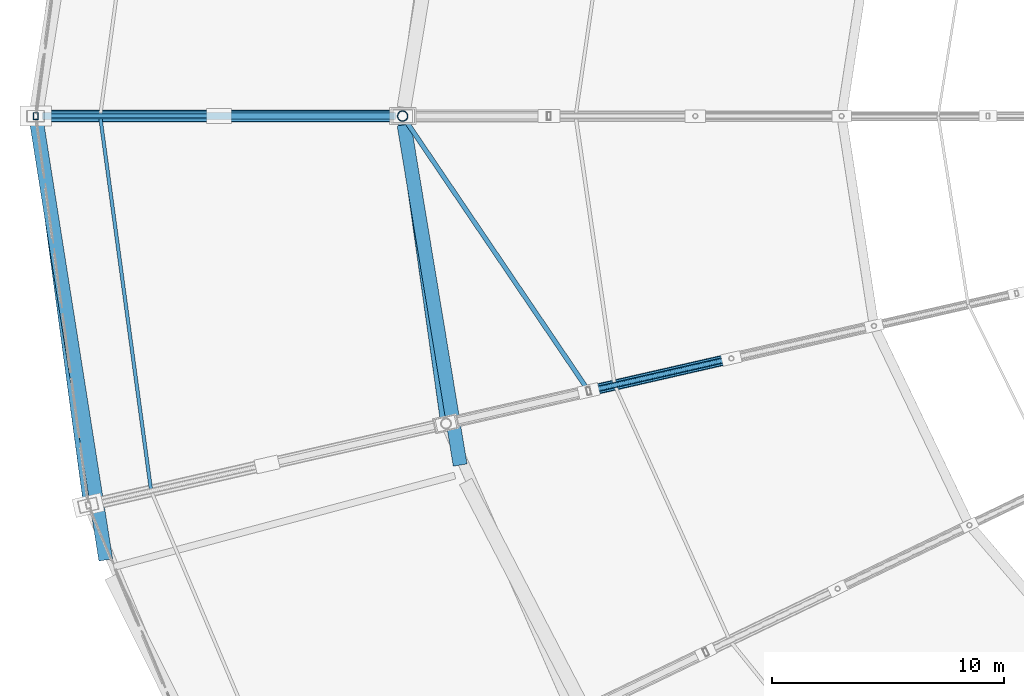
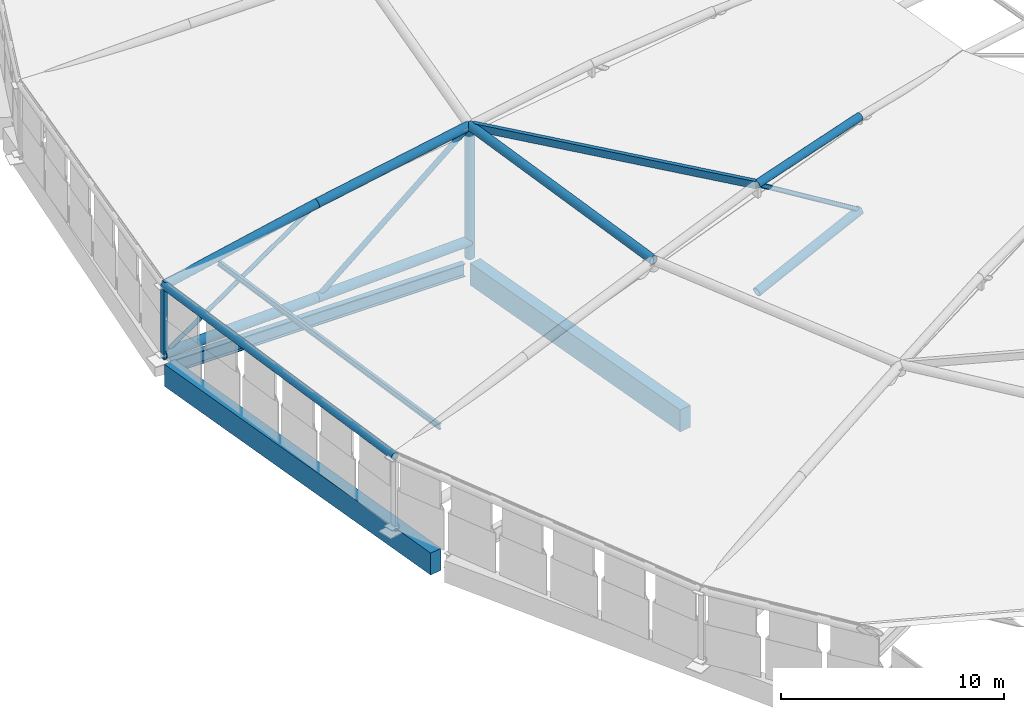
# One storey, part 29 of 108: 15 members, 3 beams.
"""IFC4 building model written with IfcOpenShell, lengths in metres."""

from ifc_helpers import new_model, si_unit, direction, frame, origin, origin_2d, place, context, subcontext, project, spatial, rectangle, hollow_rectangle, hollow_circle, i_section, extrude, material, material_profile, profile_set, type_object, element, save


model = new_model("IFC4")

# Units and contexts
model_context = context("Model", 3, precision=1e-05, world=origin(), true_north=direction((0.0, 1.0)))
body_context = subcontext(model_context, "Body", "Model", "MODEL_VIEW")
ifc_project = project(units=[si_unit("LENGTHUNIT", "METRE"), si_unit("AREAUNIT", "SQUARE_METRE"), si_unit("VOLUMEUNIT", "CUBIC_METRE"), si_unit("PLANEANGLEUNIT", "RADIAN"), si_unit("MASSUNIT", "GRAM", prefix="KILO")], contexts=[model_context])

# Site, building, storey
site_placement = place(None, origin())
site = spatial("IfcSite", under=ifc_project, at=site_placement, CompositionType="ELEMENT")
building_placement = place(site_placement, origin())
building = spatial("IfcBuilding", under=site, at=building_placement, Name="Zevraka Park Crest Stadium", CompositionType="ELEMENT")
storey_placement = place(building_placement, frame((0.0, 0.0, 29.39990234375)))
storey = spatial("IfcBuildingStorey", under=building, at=storey_placement, Name="RF", CompositionType="ELEMENT", Elevation=29.39990234375)

# Beam
ifc_material_1 = material(Name="Steel S355", Category="steel")
ifc_material_profile_1 = material_profile(ifc_material_1, i_section(OverallWidth=0.300048828125, OverallDepth=0.699951171875, WebThickness=0.01708984375, FlangeThickness=0.031982421875, at=origin_2d()), Name="HEB 700")
ifc_profile_set_1 = profile_set([ifc_material_profile_1], Name="Steel S355")
beam_type_1 = type_object("IfcBeamType", Name="BG06", PredefinedType="BEAM", material=ifc_profile_set_1)
beam_1_placement = place(storey_placement, frame((37.199951171875, 92.0, -0.534912109375), z_axis=(-1.0, 0.0, 0.0), x_axis=(0.0, -1.0, 0.0)))
element("IfcBeam", 1, at=beam_1_placement, inside=storey, type_object=beam_type_1, Name="Radial Girder BG06 RF-BD-12", PredefinedType="BEAM", context=body_context, shape_type="SweptSolid", body=[
    extrude(i_section(OverallWidth=0.300048828125, OverallDepth=0.699951171875, WebThickness=0.01708984375, FlangeThickness=0.031982421875, at=origin_2d()), origin(), (0.0, 0.0, 1.0), 15.199951171875),
])

# Member
ifc_material_2 = material(Name="Steel S355", Category="steel")
ifc_material_profile_2 = material_profile(ifc_material_2, i_section(OverallWidth=0.14990234375, OverallDepth=0.300048828125, WebThickness=0.007080078125, FlangeThickness=0.0107421875, at=origin_2d()), Name="IPE 300")
ifc_profile_set_2 = profile_set([ifc_material_profile_2], Name="Steel S355")
member_type_1 = type_object("IfcMemberType", Name="PR02", PredefinedType="PURLIN", material=ifc_profile_set_2)
member_1_placement = place(storey_placement, frame((24.47607421875, 92.0, 4.287109375), z_axis=(0.134704466965, -0.990885819144, 0.0), x_axis=(0.990885819144, 0.134704466965, 0.0)))
element("IfcMember", 2, at=member_1_placement, inside=storey, type_object=member_type_1, Name="Canopy Roof Purlin PR02 OUTER-15-1", PredefinedType="PURLIN", context=body_context, shape_type="SweptSolid", body=[
    extrude(i_section(OverallWidth=0.14990234375, OverallDepth=0.300048828125, WebThickness=0.007080078125, FlangeThickness=0.0107421875, at=origin_2d()), origin(), (0.0, 0.0, 1.0), 16.286376953125),
])

# Beams
ifc_material_3 = material(Name="Concrete C40/50", Category="concrete")
ifc_material_profile_3 = material_profile(ifc_material_3, rectangle(XDim=0.60009765625, YDim=1.199951171875, at=origin_2d()), Name="RC 1200x600")
ifc_profile_set_3 = profile_set([ifc_material_profile_3], Name="Concrete C40/50")
beam_type_2 = type_object("IfcBeamType", Name="RB01", PredefinedType="BEAM", material=ifc_profile_set_3)
beam_2_placement = place(storey_placement, frame((37.56201171875, 91.625, -0.599853515625), z_axis=(0.162654875862, -0.986683024764, 0.0), x_axis=(0.986683024764, 0.162654875862, 0.0)))
element("IfcBeam", 3, at=beam_2_placement, inside=storey, type_object=beam_type_2, Name="Ring Beam RB01 RF-B-12", PredefinedType="BEAM", context=body_context, shape_type="SweptSolid", body=[
    extrude(rectangle(XDim=0.60009765625, YDim=1.199951171875, at=origin_2d()), origin(), (0.0, 0.0, 1.0), 14.84765625),
])
beam_3_placement = place(storey_placement, frame((21.759033203125, 91.625, -0.599853515625), z_axis=(0.155972486086, -0.987761400129, 0.0), x_axis=(0.987761400129, 0.155972486086, 0.0)))
element("IfcBeam", 4, at=beam_3_placement, inside=storey, type_object=beam_type_2, Name="Ring Beam RB01 RF-D-12", PredefinedType="BEAM", context=body_context, shape_type="SweptSolid", body=[
    extrude(rectangle(XDim=0.60009765625, YDim=1.199951171875, at=origin_2d()), origin(), (0.0, 0.0, 1.0), 18.97119140625),
])

# Members
ifc_material_4 = material(Name="Steel S355", Category="steel")
ifc_material_profile_4 = material_profile(ifc_material_4, hollow_circle(Radius=0.25390625, WallThickness=0.030029296875, at=origin_2d()), Name="CHS 508.0x30")
ifc_profile_set_4 = profile_set([ifc_material_profile_4], Name="Steel S355")
member_type_2 = type_object("IfcMemberType", Name="TC01", PredefinedType="CHORD", material=ifc_profile_set_4)
member_2_placement = place(storey_placement, frame((21.699951171875, 92.0, 0.25), z_axis=(0.999279533078, 0.0, 0.03795279663), x_axis=(0.0, 1.0, 0.0)))
element("IfcMember", 5, at=member_2_placement, inside=storey, type_object=member_type_2, Name="Roof Truss Bottom Chord TC01 T15-1", PredefinedType="CHORD", context=body_context, shape_type="SweptSolid", body=[
    extrude(hollow_circle(Radius=0.25390625, WallThickness=0.030029296875, at=origin_2d()), origin(), (0.0, 0.0, 1.0), 7.90576171875),
])
member_3_placement = place(storey_placement, frame((29.60009765625, 92.0, 0.550048828125), z_axis=(0.999019458827, 0.0, 0.044273252486), x_axis=(0.0, 1.0, 0.0)))
element("IfcMember", 6, at=member_3_placement, inside=storey, type_object=member_type_2, Name="Roof Truss Bottom Chord TC01 T15-2", PredefinedType="CHORD", context=body_context, shape_type="SweptSolid", body=[
    extrude(hollow_circle(Radius=0.25390625, WallThickness=0.030029296875, at=origin_2d()), origin(), (0.0, 0.0, 1.0), 7.90771484375),
])
ifc_material_5 = material(Name="Steel S355", Category="steel")
ifc_material_profile_5 = material_profile(ifc_material_5, hollow_circle(Radius=0.228515625, WallThickness=0.02490234375, at=origin_2d()), Name="CHS 457.0x25")
ifc_profile_set_5 = profile_set([ifc_material_profile_5], Name="Steel S355")
member_type_3 = type_object("IfcMemberType", Name="TC02", PredefinedType="CHORD", material=ifc_profile_set_5)
member_4_placement = place(storey_placement, frame((37.5, 92.0, 0.0), z_axis=(0.0, 0.0, 1.0), x_axis=(1.0, 0.0, 0.0)))
element("IfcMember", 7, at=member_4_placement, inside=storey, type_object=member_type_3, Name="Roof Truss Anchor Strut TC02 T15-2", PredefinedType="CHORD", context=body_context, shape_type="SweptSolid", body=[
    extrude(hollow_circle(Radius=0.228515625, WallThickness=0.02490234375, at=origin_2d()), origin(), (0.0, 0.0, 1.0), 7.2001953125),
])
member_5_placement = place(storey_placement, frame((21.699951171875, 92.0, 4.0), z_axis=(0.977616783303, 0.0, 0.210393500384), x_axis=(0.0, 1.0, 0.0)))
element("IfcMember", 8, at=member_5_placement, inside=storey, type_object=member_type_3, Name="Roof Truss Top Chord TC02 T15-1", PredefinedType="CHORD", context=body_context, shape_type="SweptSolid", body=[
    extrude(hollow_circle(Radius=0.228515625, WallThickness=0.02490234375, at=origin_2d()), origin(), (0.0, 0.0, 1.0), 8.0810546875),
])
member_6_placement = place(storey_placement, frame((29.60009765625, 92.0, 5.7001953125), z_axis=(0.982446826972, 0.0, 0.186542842726), x_axis=(0.0, 1.0, 0.0)))
element("IfcMember", 9, at=member_6_placement, inside=storey, type_object=member_type_3, Name="Roof Truss Top Chord TC02 T15-2", PredefinedType="CHORD", context=body_context, shape_type="SweptSolid", body=[
    extrude(hollow_circle(Radius=0.228515625, WallThickness=0.02490234375, at=origin_2d()), origin(), (0.0, 0.0, 1.0), 8.041015625),
])
member_7_placement = place(storey_placement, frame((45.510009765625, 80.162109375, 2.4501953125), z_axis=(0.948417452042, 0.216464464966, 0.231619239421), x_axis=(-0.222515433667, 0.974929167571, 0.0)))
element("IfcMember", 10, at=member_7_placement, inside=storey, type_object=member_type_3, Name="Roof Truss Bottom Chord TC02 T16-4", PredefinedType="CHORD", context=body_context, shape_type="SweptSolid", body=[
    extrude(hollow_circle(Radius=0.228515625, WallThickness=0.02490234375, at=origin_2d()), origin(), (0.0, 0.0, 1.0), 6.47607421875),
])
member_8_placement = place(storey_placement, frame((37.5, 92.0, 7.2001953125), z_axis=(0.139698239704, -0.990194123303, 0.0), x_axis=(0.990194123303, 0.139698239704, 0.0)))
element("IfcMember", 11, at=member_8_placement, inside=storey, type_object=member_type_3, Name="Roof Main Bowl-Rim Ring Chord TC02 15", PredefinedType="CHORD", context=body_context, shape_type="SweptSolid", body=[
    extrude(hollow_circle(Radius=0.228515625, WallThickness=0.02490234375, at=origin_2d()), origin(), (0.0, 0.0, 1.0), 13.37109375),
])
ifc_material_6 = material(Name="Steel S355", Category="steel")
ifc_material_profile_6 = material_profile(ifc_material_6, hollow_circle(Radius=0.203125, WallThickness=0.02001953125, at=origin_2d()), Name="CHS 406.4x20")
ifc_profile_set_6 = profile_set([ifc_material_profile_6], Name="Steel S355")
member_type_4 = type_object("IfcMemberType", Name="TC03", PredefinedType="CHORD", material=ifc_profile_set_6)
member_9_placement = place(storey_placement, frame((45.510009765625, 80.162109375, 8.35009765625), z_axis=(0.968967135764, 0.221154674201, 0.110423276025), x_axis=(-0.222515433667, 0.974929167571, 0.0)))
element("IfcMember", 12, at=member_9_placement, inside=storey, type_object=member_type_4, Name="Roof Truss Top Chord TC03 T16-4", PredefinedType="CHORD", context=body_context, shape_type="SweptSolid", body=[
    extrude(hollow_circle(Radius=0.203125, WallThickness=0.02001953125, at=origin_2d()), origin(), (0.0, 0.0, 1.0), 6.3388671875),
])
member_10_placement = place(storey_placement, frame((21.699951171875, 92.0, 4.0), z_axis=(0.133907548369, -0.990993828684, 0.0), x_axis=(0.990993828684, 0.133907548369, 0.0)))
element("IfcMember", 13, at=member_10_placement, inside=storey, type_object=member_type_4, Name="Roof Outer Canopy Ring Chord TC03 15", PredefinedType="CHORD", context=body_context, shape_type="SweptSolid", body=[
    extrude(hollow_circle(Radius=0.203125, WallThickness=0.02001953125, at=origin_2d()), origin(), (0.0, 0.0, 1.0), 16.908447265625),
])
ifc_material_7 = material(Name="Steel S355", Category="steel")
ifc_material_profile_7 = material_profile(ifc_material_7, hollow_circle(Radius=0.136474609375, WallThickness=0.012451171875, at=origin_2d()), Name="CHS 273.0x12.5")
ifc_profile_set_7 = profile_set([ifc_material_profile_7], Name="Steel S355")
member_type_5 = type_object("IfcMemberType", Name="WB01", PredefinedType="BRACE", material=ifc_profile_set_7)
member_11_placement = place(storey_placement, frame((29.60009765625, 92.0, 0.550048828125), z_axis=(0.765025835155, 0.0, 0.643999589709), x_axis=(0.0, 1.0, 0.0)))
element("IfcMember", 14, at=member_11_placement, inside=storey, type_object=member_type_5, Name="Roof Truss Web Diagonal WB01 T15-2", PredefinedType="BRACE", context=body_context, shape_type="SweptSolid", body=[
    extrude(hollow_circle(Radius=0.136474609375, WallThickness=0.012451171875, at=origin_2d()), origin(), (0.0, 0.0, 1.0), 10.326416015625),
])
ifc_material_8 = material(Name="Steel S355", Category="steel")
ifc_material_profile_8 = material_profile(ifc_material_8, hollow_circle(Radius=0.109619140625, WallThickness=0.010009765625, at=origin_2d()), Name="CHS 219.1x10")
ifc_profile_set_8 = profile_set([ifc_material_profile_8], Name="Steel S355")
member_type_6 = type_object("IfcMemberType", Name="WB02", PredefinedType="BRACE", material=ifc_profile_set_8)
member_12_placement = place(storey_placement, frame((21.699951171875, 92.0, 0.25), z_axis=(0.823124227189, 0.0, 0.567861344533), x_axis=(0.0, 1.0, 0.0)))
element("IfcMember", 15, at=member_12_placement, inside=storey, type_object=member_type_6, Name="Roof Truss Web Diagonal WB02 T15-1", PredefinedType="BRACE", context=body_context, shape_type="SweptSolid", body=[
    extrude(hollow_circle(Radius=0.109619140625, WallThickness=0.010009765625, at=origin_2d()), origin(), (0.0, 0.0, 1.0), 9.59765625),
])
ifc_material_9 = material(Name="Steel S355", Category="steel")
ifc_material_profile_9 = material_profile(ifc_material_9, hollow_rectangle(XDim=0.199951171875, YDim=0.300048828125, WallThickness=0.012451171875, at=origin_2d()), Name="RHS 300x200x12.5")
ifc_profile_set_9 = profile_set([ifc_material_profile_9], Name="Steel S355")
member_type_7 = type_object("IfcMemberType", Name="WB03", PredefinedType="BRACE", material=ifc_profile_set_9)
member_13_placement = place(storey_placement, frame((21.699951171875, 92.0, 0.0), z_axis=(0.0, 0.0, 1.0), x_axis=(1.0, 0.0, 0.0)))
element("IfcMember", 16, at=member_13_placement, inside=storey, type_object=member_type_7, Name="Roof Truss Anchor Strut WB03 T15-0", PredefinedType="BRACE", context=body_context, shape_type="SweptSolid", body=[
    extrude(hollow_rectangle(XDim=0.199951171875, YDim=0.300048828125, WallThickness=0.012451171875, at=origin_2d()), origin(), (0.0, 0.0, 1.0), 4.0),
])
ifc_material_10 = material(Name="Steel S355", Category="steel")
ifc_material_profile_10 = material_profile(ifc_material_10, hollow_rectangle(XDim=0.199951171875, YDim=0.39990234375, WallThickness=0.01611328125, at=origin_2d()), Name="RHS 400x200x16")
ifc_profile_set_10 = profile_set([ifc_material_profile_10], Name="Steel S355")
member_type_8 = type_object("IfcMemberType", Name="WB06", PredefinedType="BRACE", material=ifc_profile_set_10)
member_14_placement = place(storey_placement, frame((37.5, 92.0, 7.2001953125), z_axis=(0.558601739217, -0.825550340796, 0.080191843449), x_axis=(0.828217658713, 0.560406557596, 0.0)))
element("IfcMember", 17, at=member_14_placement, inside=storey, type_object=member_type_8, Name="Canopy Roof Wind Brace WB06 15", PredefinedType="BRACE", context=body_context, shape_type="SweptSolid", body=[
    extrude(hollow_rectangle(XDim=0.199951171875, YDim=0.39990234375, WallThickness=0.01611328125, at=origin_2d()), origin(), (0.0, 0.0, 1.0), 14.33935546875),
])
ifc_material_11 = material(Name="Steel S355", Category="steel")
ifc_material_profile_11 = material_profile(ifc_material_11, hollow_circle(Radius=0.122314453125, WallThickness=0.012451171875, at=origin_2d()), Name="CHS 244.5x12.5")
ifc_profile_set_11 = profile_set([ifc_material_profile_11], Name="Steel S355")
member_type_9 = type_object("IfcMemberType", Name="WB07", PredefinedType="BRACE", material=ifc_profile_set_11)
member_15_placement = place(storey_placement, frame((51.652099609375, 81.56396484375, 3.9501953125), z_axis=(-0.799296035547, -0.18242935989, 0.572577834193), x_axis=(0.222515433667, -0.974929167571, 0.0)))
element("IfcMember", 18, at=member_15_placement, inside=storey, type_object=member_type_9, Name="Roof Truss Web Diagonal WB07 T16-4", PredefinedType="BRACE", context=body_context, shape_type="SweptSolid", body=[
    extrude(hollow_circle(Radius=0.122314453125, WallThickness=0.012451171875, at=origin_2d()), origin(), (0.0, 0.0, 1.0), 7.684326171875),
])

save(model, "model.ifc")
